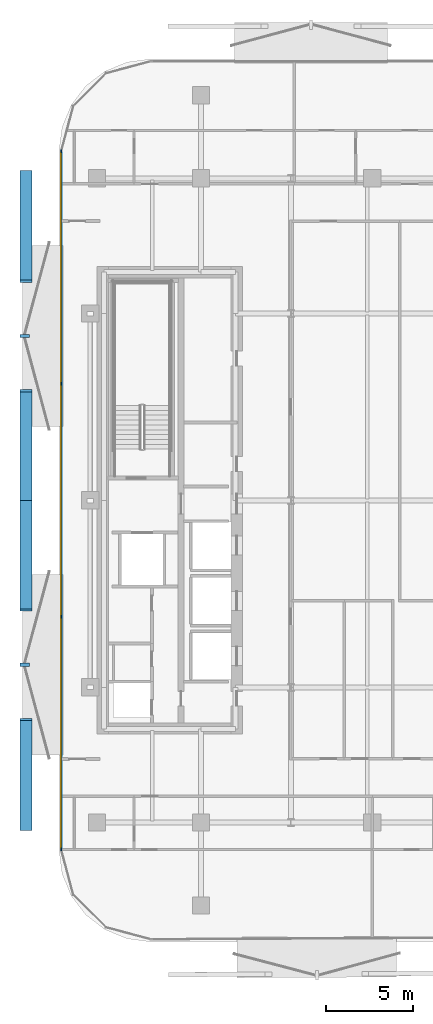
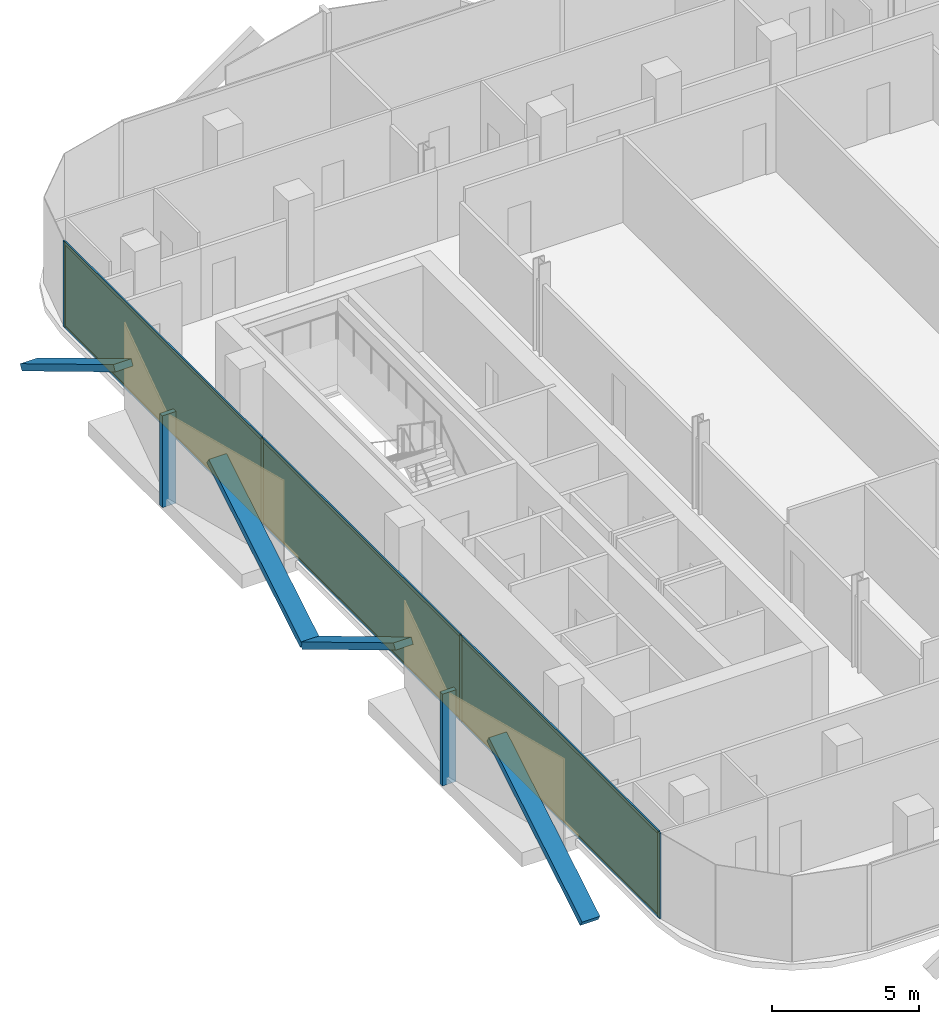
# One storey, part 9 of 16: 16 members, 3 plates, 1 curtain wall.
"""IFC4 building model written with IfcOpenShell, lengths in metres."""

from ifc_helpers import new_model, si_unit, direction, frame, frame_2d, origin, origin_2d, place, context, subcontext, project, spatial, rectangle, extrude, material, layer, layer_set, material_profile, profile_set, type_object, element, aggregate, save


model = new_model("IFC4")

# Units and contexts
model_context = context("Model", 3, precision=1e-05, world=origin(), true_north=direction((0.0, 1.0)))
body_context = subcontext(model_context, "Body", "Model", "MODEL_VIEW")
ifc_project = project(units=[si_unit("LENGTHUNIT", "METRE"), si_unit("AREAUNIT", "SQUARE_METRE"), si_unit("VOLUMEUNIT", "CUBIC_METRE"), si_unit("PLANEANGLEUNIT", "RADIAN"), si_unit("MASSUNIT", "GRAM", prefix="KILO")], contexts=[model_context])

# Member
ifc_material_1 = material(Name="Anodised Bronze Aluminium 6063-T6", Category="aluminium")
ifc_material_profile_1 = material_profile(ifc_material_1, rectangle(XDim=0.260009765625, YDim=0.699951171875, at=origin_2d()))
ifc_profile_set_1 = profile_set([ifc_material_profile_1], Name="Anodised Bronze Aluminium 6063-T6")
member_type_1 = type_object("IfcMemberType", Name="Bronze Diamond Solar-Screen Lattice Rib BDL-700", PredefinedType="MULLION", material=ifc_profile_set_1)
site_placement = place(None, origin())
building_placement = place(site_placement, origin())
storey_placement = place(building_placement, frame((0.0, 0.0, 184.0)))
member_1_placement = place(storey_placement, frame((-24.5, -18.99072265625, -0.1298828125), z_axis=(0.0, 0.857396627106, 0.51465621907), x_axis=(0.0, -0.51465621907, 0.857396627106)))
member_1 = element("IfcMember", 1, at=member_1_placement, type_object=member_type_1, Name="L42 Bronze Diamond Solar Screen Lattice Rib 275A", PredefinedType="MULLION", context=body_context, shape_type="SweptSolid", body=[
    extrude(rectangle(XDim=0.260009765625, YDim=0.699951171875, at=origin_2d()), origin(), (0.0, 0.0, 1.0), 7.38330078125),
])

member_2_placement = place(storey_placement, frame((-24.5, 0.0, -0.1298828125), z_axis=(0.0, -0.857396627106, 0.51465621907), x_axis=(0.0, 0.51465621907, 0.857396627106)))
member_2 = element("IfcMember", 2, at=member_2_placement, type_object=member_type_1, Name="L42 Bronze Diamond Solar Screen Lattice Rib 275B", PredefinedType="MULLION", context=body_context, shape_type="SweptSolid", body=[
    extrude(rectangle(XDim=0.260009765625, YDim=0.699951171875, at=origin_2d()), origin(), (0.0, 0.0, 1.0), 7.38330078125),
])

member_3_placement = place(storey_placement, frame((-24.5, 0.0, -0.1298828125), z_axis=(0.0, 0.857396627106, 0.51465621907), x_axis=(0.0, -0.51465621907, 0.857396627106)))
member_3 = element("IfcMember", 3, at=member_3_placement, type_object=member_type_1, Name="L42 Bronze Diamond Solar Screen Lattice Rib 276A", PredefinedType="MULLION", context=body_context, shape_type="SweptSolid", body=[
    extrude(rectangle(XDim=0.260009765625, YDim=0.699951171875, at=origin_2d()), origin(), (0.0, 0.0, 1.0), 7.38330078125),
])

member_4_placement = place(storey_placement, frame((-24.5, 18.99072265625, -0.1298828125), z_axis=(0.0, -0.857396627106, 0.51465621907), x_axis=(0.0, 0.51465621907, 0.857396627106)))
member_4 = element("IfcMember", 4, at=member_4_placement, type_object=member_type_1, Name="L42 Bronze Diamond Solar Screen Lattice Rib 276B", PredefinedType="MULLION", context=body_context, shape_type="SweptSolid", body=[
    extrude(rectangle(XDim=0.260009765625, YDim=0.699951171875, at=origin_2d()), origin(), (0.0, 0.0, 1.0), 7.38330078125),
])

ifc_material_2 = material(Name="Anodised Bronze Aluminium 6063-T6", Category="aluminium")
ifc_material_profile_2 = material_profile(ifc_material_2, rectangle(XDim=0.179931640625, YDim=0.5400390625, at=origin_2d()))
ifc_profile_set_2 = profile_set([ifc_material_profile_2], Name="Anodised Bronze Aluminium 6063-T6")
member_type_2 = type_object("IfcMemberType", Name="Bronze Solar-Screen Vertical Fold Fin BSF-540", PredefinedType="MULLION", material=ifc_profile_set_2)
member_5_placement = place(storey_placement, frame((-24.580078125, -9.495361328125, -0.1298828125), z_axis=(0.0, 0.0, 1.0), x_axis=(0.0, 1.0, 0.0)))
member_5 = element("IfcMember", 5, at=member_5_placement, type_object=member_type_2, Name="L42 Bronze Solar Screen Vertical Fin 275", PredefinedType="MULLION", context=body_context, shape_type="SweptSolid", body=[
    extrude(rectangle(XDim=0.179931640625, YDim=0.5400390625, at=origin_2d()), origin(), (0.0, 0.0, 1.0), 3.7998046875),
])

member_6_placement = place(storey_placement, frame((-24.580078125, 9.495361328125, -0.1298828125), z_axis=(0.0, 0.0, 1.0), x_axis=(0.0, 1.0, 0.0)))
member_6 = element("IfcMember", 6, at=member_6_placement, type_object=member_type_2, Name="L42 Bronze Solar Screen Vertical Fin 276", PredefinedType="MULLION", context=body_context, shape_type="SweptSolid", body=[
    extrude(rectangle(XDim=0.179931640625, YDim=0.5400390625, at=origin_2d()), origin(), (0.0, 0.0, 1.0), 3.7998046875),
])

ifc_material_3 = material(Name="Anodised Bronze Aluminium 6063-T6", Category="aluminium")
ifc_material_profile_3 = material_profile(ifc_material_3, rectangle(XDim=0.06005859375, YDim=0.1650390625, at=origin_2d()))
ifc_profile_set_3 = profile_set([ifc_material_profile_3], Name="Anodised Bronze Aluminium 6063-T6")
member_type_3 = type_object("IfcMemberType", Name="CW-Z3 Mullion 60x165", PredefinedType="MULLION", material=ifc_profile_set_3)
member_7_placement = place(storey_placement, frame((-22.4599609375, -20.160888671875, 0.0), z_axis=(0.0, 0.0, 1.0), x_axis=(-1.0, 0.0, 0.0)))
member_7 = element("IfcMember", 7, at=member_7_placement, type_object=member_type_3, Name="CW-Z3 mullion 1", PredefinedType="MULLION", context=body_context, shape_type="SweptSolid", body=[
    extrude(rectangle(XDim=0.06005859375, YDim=0.1650390625, at=origin_2d()), origin(), (0.0, 0.0, 1.0), 3.5400390625),
])

member_8_placement = place(storey_placement, frame((-22.4599609375, -6.730224609375, 0.0), z_axis=(0.0, 0.0, 1.0), x_axis=(-1.0, 0.0, 0.0)))
member_8 = element("IfcMember", 8, at=member_8_placement, type_object=member_type_3, Name="CW-Z3 mullion 2", PredefinedType="MULLION", context=body_context, shape_type="SweptSolid", body=[
    extrude(rectangle(XDim=0.06005859375, YDim=0.1650390625, at=origin_2d()), origin(), (0.0, 0.0, 1.0), 3.5400390625),
])

member_9_placement = place(storey_placement, frame((-22.4599609375, 6.730224609375, 0.0), z_axis=(0.0, 0.0, 1.0), x_axis=(-1.0, 0.0, 0.0)))
member_9 = element("IfcMember", 9, at=member_9_placement, type_object=member_type_3, Name="CW-Z3 mullion 3", PredefinedType="MULLION", context=body_context, shape_type="SweptSolid", body=[
    extrude(rectangle(XDim=0.06005859375, YDim=0.1650390625, at=origin_2d()), origin(), (0.0, 0.0, 1.0), 3.5400390625),
])

member_10_placement = place(storey_placement, frame((-22.4599609375, 20.160888671875, 0.0), z_axis=(0.0, 0.0, 1.0), x_axis=(-1.0, 0.0, 0.0)))
member_10 = element("IfcMember", 10, at=member_10_placement, type_object=member_type_3, Name="CW-Z3 mullion 4", PredefinedType="MULLION", context=body_context, shape_type="SweptSolid", body=[
    extrude(rectangle(XDim=0.06005859375, YDim=0.1650390625, at=origin_2d()), origin(), (0.0, 0.0, 1.0), 3.5400390625),
])

ifc_material_4 = material(Name="Anodised Bronze Aluminium 6063-T6", Category="aluminium")
ifc_material_profile_4 = material_profile(ifc_material_4, rectangle(XDim=0.06005859375, YDim=0.1298828125, at=origin_2d()))
ifc_profile_set_4 = profile_set([ifc_material_profile_4], Name="Anodised Bronze Aluminium 6063-T6")
member_type_4 = type_object("IfcMemberType", Name="CW-Z3 Transom 60x130", PredefinedType="USERDEFINED", material=ifc_profile_set_4)
member_11_placement = place(storey_placement, frame((-22.4599609375, -20.130859375, 0.030029296875), z_axis=(0.0, 1.0, 0.0), x_axis=(-1.0, 0.0, 0.0)))
member_11 = element("IfcMember", 11, at=member_11_placement, type_object=member_type_4, Name="CW-Z3 transom 1.1", ObjectType="TRANSOM", PredefinedType="USERDEFINED", context=body_context, shape_type="SweptSolid", body=[
    extrude(rectangle(XDim=0.06005859375, YDim=0.1298828125, at=origin_2d()), origin(), (0.0, 0.0, 1.0), 13.37060546875),
])

member_12_placement = place(storey_placement, frame((-22.4599609375, -20.130859375, 3.510009765625), z_axis=(0.0, 1.0, 0.0), x_axis=(-1.0, 0.0, 0.0)))
member_12 = element("IfcMember", 12, at=member_12_placement, type_object=member_type_4, Name="CW-Z3 transom 1.2", ObjectType="TRANSOM", PredefinedType="USERDEFINED", context=body_context, shape_type="SweptSolid", body=[
    extrude(rectangle(XDim=0.06005859375, YDim=0.1298828125, at=origin_2d()), origin(), (0.0, 0.0, 1.0), 13.37060546875),
])

member_13_placement = place(storey_placement, frame((-22.4599609375, -6.7001953125, 0.030029296875), z_axis=(0.0, 1.0, 0.0), x_axis=(-1.0, 0.0, 0.0)))
member_13 = element("IfcMember", 13, at=member_13_placement, type_object=member_type_4, Name="CW-Z3 transom 2.1", ObjectType="TRANSOM", PredefinedType="USERDEFINED", context=body_context, shape_type="SweptSolid", body=[
    extrude(rectangle(XDim=0.06005859375, YDim=0.1298828125, at=origin_2d()), origin(), (0.0, 0.0, 1.0), 13.400390625),
])

member_14_placement = place(storey_placement, frame((-22.4599609375, -6.7001953125, 3.510009765625), z_axis=(0.0, 1.0, 0.0), x_axis=(-1.0, 0.0, 0.0)))
member_14 = element("IfcMember", 14, at=member_14_placement, type_object=member_type_4, Name="CW-Z3 transom 2.2", ObjectType="TRANSOM", PredefinedType="USERDEFINED", context=body_context, shape_type="SweptSolid", body=[
    extrude(rectangle(XDim=0.06005859375, YDim=0.1298828125, at=origin_2d()), origin(), (0.0, 0.0, 1.0), 13.400390625),
])

member_15_placement = place(storey_placement, frame((-22.4599609375, 6.76025390625, 0.030029296875), z_axis=(0.0, 1.0, 0.0), x_axis=(-1.0, 0.0, 0.0)))
member_15 = element("IfcMember", 15, at=member_15_placement, type_object=member_type_4, Name="CW-Z3 transom 3.1", ObjectType="TRANSOM", PredefinedType="USERDEFINED", context=body_context, shape_type="SweptSolid", body=[
    extrude(rectangle(XDim=0.06005859375, YDim=0.1298828125, at=origin_2d()), origin(), (0.0, 0.0, 1.0), 13.37060546875),
])

member_16_placement = place(storey_placement, frame((-22.4599609375, 6.76025390625, 3.510009765625), z_axis=(0.0, 1.0, 0.0), x_axis=(-1.0, 0.0, 0.0)))
member_16 = element("IfcMember", 16, at=member_16_placement, type_object=member_type_4, Name="CW-Z3 transom 3.2", ObjectType="TRANSOM", PredefinedType="USERDEFINED", context=body_context, shape_type="SweptSolid", body=[
    extrude(rectangle(XDim=0.06005859375, YDim=0.1298828125, at=origin_2d()), origin(), (0.0, 0.0, 1.0), 13.37060546875),
])

# Plate
ifc_material_5 = material(Name="Low-E Solar Control Laminated Glass", Category="glass")
ifc_layer_1 = layer(ifc_material_5, 0.030029296875, Name="Low-E Solar Control Laminated Glass")
ifc_layer_set_1 = layer_set([ifc_layer_1], Name="Low-E Solar Control Laminated Glass")
plate_type = type_object("IfcPlateType", Name="CW-Z3 Low-E Double Glazed Panel 30mm", PredefinedType="CURTAIN_PANEL", material=ifc_layer_set_1)
plate_1_placement = place(storey_placement, frame((-22.4599609375, -13.445556640625, 0.06005859375), z_axis=(0.0, 0.0, 1.0), x_axis=(0.0, 1.0, 0.0)))
plate_1 = element("IfcPlate", 17, at=plate_1_placement, type_object=plate_type, Name="CW-Z3 panel 1.1", PredefinedType="CURTAIN_PANEL", context=body_context, shape_type="SweptSolid", body=[
    extrude(rectangle(XDim=13.37060546875, YDim=0.030029296875, at=origin_2d()), origin(), (0.0, 0.0, 1.0), 3.419921875),
])

plate_2_placement = place(storey_placement, frame((-22.4599609375, 0.0, 0.06005859375), z_axis=(0.0, 0.0, 1.0), x_axis=(0.0, 1.0, 0.0)))
plate_2 = element("IfcPlate", 18, at=plate_2_placement, type_object=plate_type, Name="CW-Z3 panel 2.1", PredefinedType="CURTAIN_PANEL", context=body_context, shape_type="SweptSolid", body=[
    extrude(rectangle(XDim=13.400634765625, YDim=0.030029296875, at=origin_2d()), origin(), (0.0, 0.0, 1.0), 3.419921875),
])

plate_3_placement = place(storey_placement, frame((-22.4599609375, 13.445556640625, 0.06005859375), z_axis=(0.0, 0.0, 1.0), x_axis=(0.0, 1.0, 0.0)))
plate_3 = element("IfcPlate", 19, at=plate_3_placement, type_object=plate_type, Name="CW-Z3 panel 3.1", PredefinedType="CURTAIN_PANEL", context=body_context, shape_type="SweptSolid", body=[
    extrude(rectangle(XDim=13.37060546875, YDim=0.030029296875, at=origin_2d()), origin(), (0.0, 0.0, 1.0), 3.419921875),
])

# Site, building, storey
site = spatial("IfcSite", under=ifc_project, at=site_placement, CompositionType="ELEMENT")
building = spatial("IfcBuilding", under=site, at=building_placement, Name="Khairoan Windgate Tower", CompositionType="ELEMENT")
storey = spatial("IfcBuildingStorey", under=building, at=storey_placement, Name="L42", CompositionType="ELEMENT", Elevation=184.0)

# Curtain wall
ifc_material_6 = material(Name="Anodised Bronze Aluminium 6063-T6", Category="aluminium")
ifc_layer_2 = layer(ifc_material_6, 0.1650390625, Name="Anodised Bronze Aluminium 6063-T6")
ifc_layer_set_2 = layer_set([ifc_layer_2], Name="Anodised Bronze Aluminium 6063-T6")
curtain_wall_type = type_object("IfcCurtainWallType", Name="Luxury Hotel Acoustic Curtain Wall CW-Z3", PredefinedType="NOTDEFINED", material=ifc_layer_set_2)
curtain_wall_placement = place(storey_placement, frame((-22.4599609375, -20.19091796875, 0.0), z_axis=(0.0, 0.0, 1.0), x_axis=(0.0, 1.0, 0.0)))
curtain_wall = element("IfcCurtainWall", 20, at=curtain_wall_placement, inside=storey, type_object=curtain_wall_type, Name="L42 Unitised Curtain Wall 5", PredefinedType="NOTDEFINED", context=body_context, shape_type="SweptSolid", body=[
    extrude(rectangle(XDim=40.3818359375, YDim=0.010009765625, at=frame_2d((20.19091796875, 0.0))), origin(), (0.0, 0.0, 1.0), 3.5400390625),
])

aggregate(curtain_wall, [member_7, member_8, member_9, member_10, member_11, member_12, plate_1, member_13, member_14, plate_2, member_15, member_16, plate_3, member_1, member_2, member_5, member_3, member_4, member_6])

save(model, "model.ifc")
